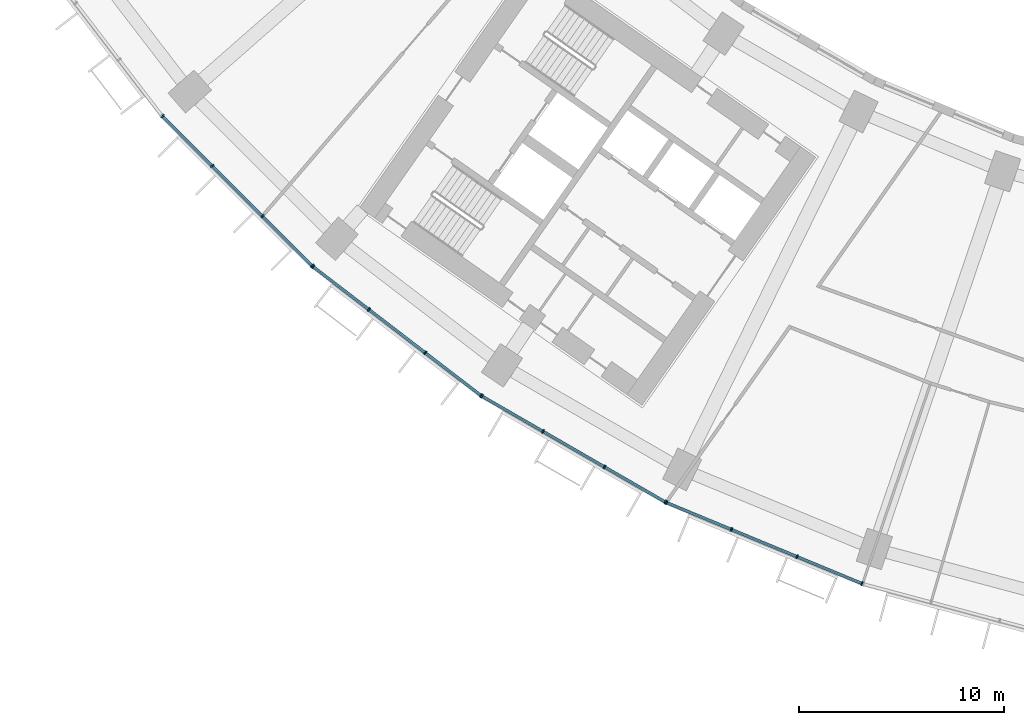
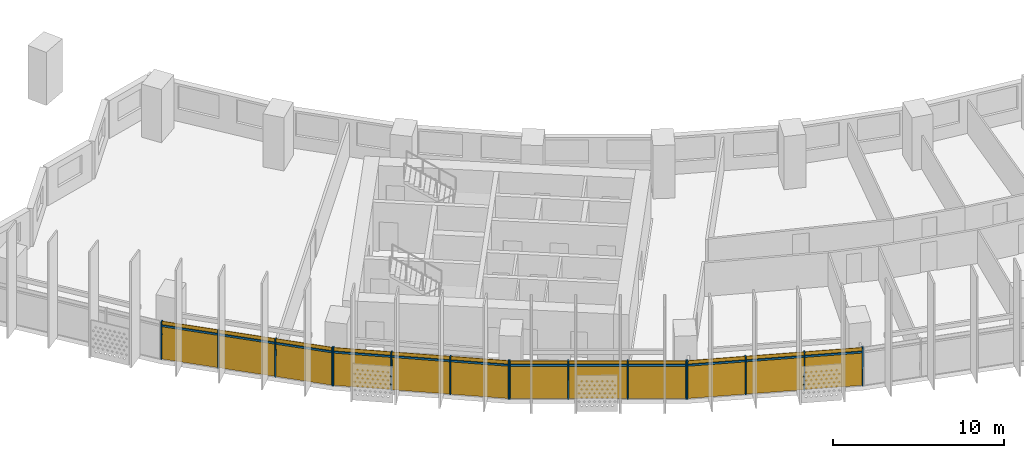
# One storey, part 18 of 31: 28 members, 4 curtain walls.
"""IFC4 building model written with IfcOpenShell, lengths in metres."""

from ifc_helpers import new_model, si_unit, direction, frame, origin, origin_2d, place, context, subcontext, project, spatial, rectangle, extrude, material, material_profile, profile_set, type_object, element, aggregate, save


model = new_model("IFC4")

# Units and contexts
model_context = context("Model", 3, precision=1e-05, world=origin(), true_north=direction((0.0, 1.0)))
body_context = subcontext(model_context, "Body", "Model", "MODEL_VIEW")
ifc_project = project(units=[si_unit("LENGTHUNIT", "METRE"), si_unit("AREAUNIT", "SQUARE_METRE"), si_unit("VOLUMEUNIT", "CUBIC_METRE"), si_unit("PLANEANGLEUNIT", "RADIAN"), si_unit("MASSUNIT", "GRAM", prefix="KILO")], contexts=[model_context])

# Member
ifc_material = material(Name="Aluminium 6063-T6 anodised", Category="aluminium")
ifc_material_profile_1 = material_profile(ifc_material, rectangle(XDim=0.199951171875, YDim=0.070068359375, at=origin_2d()))
ifc_profile_set_1 = profile_set([ifc_material_profile_1], Name="Aluminium 6063-T6 anodised")
member_type_1 = type_object("IfcMemberType", Name="Mullion 70 x 200 aluminium", PredefinedType="MULLION", material=ifc_profile_set_1)
site_placement = place(None, origin())
building_placement = place(site_placement, origin())
storey_placement = place(building_placement, frame((0.0, 0.0, 48.10009765625)))
member_1_placement = place(storey_placement, frame((-59.78857421875, -52.470947265625, 0.0), z_axis=(0.0, 0.0, 1.0), x_axis=(0.707106781187, 0.707106781187, 0.0)))
member_1 = element("IfcMember", 1, at=member_1_placement, type_object=member_type_1, Name="e-cw1-L08-out02/M00", PredefinedType="MULLION", context=body_context, shape_type="SweptSolid", body=[
    extrude(rectangle(XDim=0.199951171875, YDim=0.070068359375, at=origin_2d()), origin(), (0.0, 0.0, 1.0), 2.699951171875),
])

member_2_placement = place(storey_placement, frame((-57.357666015625, -54.90185546875, 0.0), z_axis=(0.0, 0.0, 1.0), x_axis=(0.707106781187, 0.707106781187, 0.0)))
member_2 = element("IfcMember", 2, at=member_2_placement, type_object=member_type_1, Name="e-cw1-L08-out02/M01", PredefinedType="MULLION", context=body_context, shape_type="SweptSolid", body=[
    extrude(rectangle(XDim=0.199951171875, YDim=0.070068359375, at=origin_2d()), origin(), (0.0, 0.0, 1.0), 2.699951171875),
])

member_3_placement = place(storey_placement, frame((-54.90185546875, -57.357666015625, 0.0), z_axis=(0.0, 0.0, 1.0), x_axis=(0.707106781187, 0.707106781187, 0.0)))
member_3 = element("IfcMember", 3, at=member_3_placement, type_object=member_type_1, Name="e-cw1-L08-out02/M02", PredefinedType="MULLION", context=body_context, shape_type="SweptSolid", body=[
    extrude(rectangle(XDim=0.199951171875, YDim=0.070068359375, at=origin_2d()), origin(), (0.0, 0.0, 1.0), 2.699951171875),
])

member_4_placement = place(storey_placement, frame((-52.470947265625, -59.78857421875, 0.0), z_axis=(0.0, 0.0, 1.0), x_axis=(0.707106781187, 0.707106781187, 0.0)))
member_4 = element("IfcMember", 4, at=member_4_placement, type_object=member_type_1, Name="e-cw1-L08-out02/M03", PredefinedType="MULLION", context=body_context, shape_type="SweptSolid", body=[
    extrude(rectangle(XDim=0.199951171875, YDim=0.070068359375, at=origin_2d()), origin(), (0.0, 0.0, 1.0), 2.699951171875),
])

member_5_placement = place(storey_placement, frame((-52.42822265625, -59.825927734375, 0.0), z_axis=(0.0, 0.0, 1.0), x_axis=(0.608761429009, 0.793353340291, 0.0)))
member_5 = element("IfcMember", 5, at=member_5_placement, type_object=member_type_1, Name="e-cw1-L08-out03/M00", PredefinedType="MULLION", context=body_context, shape_type="SweptSolid", body=[
    extrude(rectangle(XDim=0.199951171875, YDim=0.070068359375, at=origin_2d()), origin(), (0.0, 0.0, 1.0), 2.699951171875),
])

member_6_placement = place(storey_placement, frame((-49.70068359375, -61.9189453125, 0.0), z_axis=(0.0, 0.0, 1.0), x_axis=(0.608761429009, 0.793353340291, 0.0)))
member_6 = element("IfcMember", 6, at=member_6_placement, type_object=member_type_1, Name="e-cw1-L08-out03/M01", PredefinedType="MULLION", context=body_context, shape_type="SweptSolid", body=[
    extrude(rectangle(XDim=0.199951171875, YDim=0.070068359375, at=origin_2d()), origin(), (0.0, 0.0, 1.0), 2.699951171875),
])

member_7_placement = place(storey_placement, frame((-46.945556640625, -64.032958984375, 0.0), z_axis=(0.0, 0.0, 1.0), x_axis=(0.608761429009, 0.793353340291, 0.0)))
member_7 = element("IfcMember", 7, at=member_7_placement, type_object=member_type_1, Name="e-cw1-L08-out03/M02", PredefinedType="MULLION", context=body_context, shape_type="SweptSolid", body=[
    extrude(rectangle(XDim=0.199951171875, YDim=0.070068359375, at=origin_2d()), origin(), (0.0, 0.0, 1.0), 2.699951171875),
])

member_8_placement = place(storey_placement, frame((-44.218017578125, -66.1259765625, 0.0), z_axis=(0.0, 0.0, 1.0), x_axis=(0.608761429009, 0.793353340291, 0.0)))
member_8 = element("IfcMember", 8, at=member_8_placement, type_object=member_type_1, Name="e-cw1-L08-out03/M03", PredefinedType="MULLION", context=body_context, shape_type="SweptSolid", body=[
    extrude(rectangle(XDim=0.199951171875, YDim=0.070068359375, at=origin_2d()), origin(), (0.0, 0.0, 1.0), 2.699951171875),
])

member_9_placement = place(storey_placement, frame((-44.1708984375, -66.157470703125, 0.0), z_axis=(0.0, 0.0, 1.0), x_axis=(0.5, 0.866025403784, 0.0)))
member_9 = element("IfcMember", 9, at=member_9_placement, type_object=member_type_1, Name="e-cw1-L08-out04/M00", PredefinedType="MULLION", context=body_context, shape_type="SweptSolid", body=[
    extrude(rectangle(XDim=0.199951171875, YDim=0.070068359375, at=origin_2d()), origin(), (0.0, 0.0, 1.0), 2.699951171875),
])

member_10_placement = place(storey_placement, frame((-41.193603515625, -67.87646484375, 0.0), z_axis=(0.0, 0.0, 1.0), x_axis=(0.5, 0.866025403784, 0.0)))
member_10 = element("IfcMember", 10, at=member_10_placement, type_object=member_type_1, Name="e-cw1-L08-out04/M01", PredefinedType="MULLION", context=body_context, shape_type="SweptSolid", body=[
    extrude(rectangle(XDim=0.199951171875, YDim=0.070068359375, at=origin_2d()), origin(), (0.0, 0.0, 1.0), 2.699951171875),
])

member_11_placement = place(storey_placement, frame((-38.18603515625, -69.61279296875, 0.0), z_axis=(0.0, 0.0, 1.0), x_axis=(0.5, 0.866025403784, 0.0)))
member_11 = element("IfcMember", 11, at=member_11_placement, type_object=member_type_1, Name="e-cw1-L08-out04/M02", PredefinedType="MULLION", context=body_context, shape_type="SweptSolid", body=[
    extrude(rectangle(XDim=0.199951171875, YDim=0.070068359375, at=origin_2d()), origin(), (0.0, 0.0, 1.0), 2.699951171875),
])

member_12_placement = place(storey_placement, frame((-35.20849609375, -71.331787109375, 0.0), z_axis=(0.0, 0.0, 1.0), x_axis=(0.5, 0.866025403784, 0.0)))
member_12 = element("IfcMember", 12, at=member_12_placement, type_object=member_type_1, Name="e-cw1-L08-out04/M03", PredefinedType="MULLION", context=body_context, shape_type="SweptSolid", body=[
    extrude(rectangle(XDim=0.199951171875, YDim=0.070068359375, at=origin_2d()), origin(), (0.0, 0.0, 1.0), 2.699951171875),
])

member_13_placement = place(storey_placement, frame((-35.15771484375, -71.35693359375, 0.0), z_axis=(0.0, 0.0, 1.0), x_axis=(0.382683432365, 0.923879532511, 0.0)))
member_13 = element("IfcMember", 13, at=member_13_placement, type_object=member_type_1, Name="e-cw1-L08-out05/M00", PredefinedType="MULLION", context=body_context, shape_type="SweptSolid", body=[
    extrude(rectangle(XDim=0.199951171875, YDim=0.070068359375, at=origin_2d()), origin(), (0.0, 0.0, 1.0), 2.699951171875),
])

member_14_placement = place(storey_placement, frame((-31.9814453125, -72.672607421875, 0.0), z_axis=(0.0, 0.0, 1.0), x_axis=(0.382683432365, 0.923879532511, 0.0)))
member_14 = element("IfcMember", 14, at=member_14_placement, type_object=member_type_1, Name="e-cw1-L08-out05/M01", PredefinedType="MULLION", context=body_context, shape_type="SweptSolid", body=[
    extrude(rectangle(XDim=0.199951171875, YDim=0.070068359375, at=origin_2d()), origin(), (0.0, 0.0, 1.0), 2.699951171875),
])

member_15_placement = place(storey_placement, frame((-28.77294921875, -74.00146484375, 0.0), z_axis=(0.0, 0.0, 1.0), x_axis=(0.382683432365, 0.923879532511, 0.0)))
member_15 = element("IfcMember", 15, at=member_15_placement, type_object=member_type_1, Name="e-cw1-L08-out05/M02", PredefinedType="MULLION", context=body_context, shape_type="SweptSolid", body=[
    extrude(rectangle(XDim=0.199951171875, YDim=0.070068359375, at=origin_2d()), origin(), (0.0, 0.0, 1.0), 2.699951171875),
])

member_16_placement = place(storey_placement, frame((-25.5966796875, -75.317138671875, 0.0), z_axis=(0.0, 0.0, 1.0), x_axis=(0.382683432365, 0.923879532511, 0.0)))
member_16 = element("IfcMember", 16, at=member_16_placement, type_object=member_type_1, Name="e-cw1-L08-out05/M03", PredefinedType="MULLION", context=body_context, shape_type="SweptSolid", body=[
    extrude(rectangle(XDim=0.199951171875, YDim=0.070068359375, at=origin_2d()), origin(), (0.0, 0.0, 1.0), 2.699951171875),
])

ifc_material_profile_2 = material_profile(ifc_material, rectangle(XDim=0.139892578125, YDim=0.1201171875, at=origin_2d()))
ifc_profile_set_2 = profile_set([ifc_material_profile_2], Name="Aluminium 6063-T6 anodised")
member_type_2 = type_object("IfcMemberType", Name="Transom 120 x 140 aluminium", PredefinedType="USERDEFINED", material=ifc_profile_set_2)
member_17_placement = place(storey_placement, frame((-59.763916015625, -52.49560546875, 2.39990234375), z_axis=(0.707106781187, -0.707106781187, 0.0), x_axis=(0.707106781187, 0.707106781187, 0.0)))
member_17 = element("IfcMember", 17, at=member_17_placement, type_object=member_type_2, Name="e-cw1-L08-out02/T00", ObjectType="TRANSOM", PredefinedType="USERDEFINED", context=body_context, shape_type="SweptSolid", body=[
    extrude(rectangle(XDim=0.139892578125, YDim=0.1201171875, at=origin_2d()), origin(), (0.0, 0.0, 1.0), 3.3681640625),
])

member_18_placement = place(storey_placement, frame((-57.332763671875, -54.9267578125, 2.39990234375), z_axis=(0.707106781187, -0.707106781187, 0.0), x_axis=(0.707106781187, 0.707106781187, 0.0)))
member_18 = element("IfcMember", 18, at=member_18_placement, type_object=member_type_2, Name="e-cw1-L08-out02/T01", ObjectType="TRANSOM", PredefinedType="USERDEFINED", context=body_context, shape_type="SweptSolid", body=[
    extrude(rectangle(XDim=0.139892578125, YDim=0.1201171875, at=origin_2d()), origin(), (0.0, 0.0, 1.0), 3.402587890625),
])

member_19_placement = place(storey_placement, frame((-54.877197265625, -57.38232421875, 2.39990234375), z_axis=(0.707106781187, -0.707106781187, 0.0), x_axis=(0.707106781187, 0.707106781187, 0.0)))
member_19 = element("IfcMember", 19, at=member_19_placement, type_object=member_type_2, Name="e-cw1-L08-out02/T02", ObjectType="TRANSOM", PredefinedType="USERDEFINED", context=body_context, shape_type="SweptSolid", body=[
    extrude(rectangle(XDim=0.139892578125, YDim=0.1201171875, at=origin_2d()), origin(), (0.0, 0.0, 1.0), 3.3681640625),
])

member_20_placement = place(storey_placement, frame((-52.400390625, -59.847412109375, 2.39990234375), z_axis=(0.793375276742, -0.608732839803, 0.0), x_axis=(0.608732839803, 0.793375276742, 0.0)))
member_20 = element("IfcMember", 20, at=member_20_placement, type_object=member_type_2, Name="e-cw1-L08-out03/T00", ObjectType="TRANSOM", PredefinedType="USERDEFINED", context=body_context, shape_type="SweptSolid", body=[
    extrude(rectangle(XDim=0.139892578125, YDim=0.1201171875, at=origin_2d()), origin(), (0.0, 0.0, 1.0), 3.36767578125),
])

member_21_placement = place(storey_placement, frame((-49.673095703125, -61.940185546875, 2.39990234375), z_axis=(0.793356868815, -0.60875683052, 0.0), x_axis=(0.60875683052, 0.793356868815, 0.0)))
member_21 = element("IfcMember", 21, at=member_21_placement, type_object=member_type_2, Name="e-cw1-L08-out03/T01", ObjectType="TRANSOM", PredefinedType="USERDEFINED", context=body_context, shape_type="SweptSolid", body=[
    extrude(rectangle(XDim=0.139892578125, YDim=0.1201171875, at=origin_2d()), origin(), (0.0, 0.0, 1.0), 3.40283203125),
])

member_22_placement = place(storey_placement, frame((-46.917724609375, -64.054443359375, 2.39990234375), z_axis=(0.793375276742, -0.608732839803, 0.0), x_axis=(0.608732839803, 0.793375276742, 0.0)))
member_22 = element("IfcMember", 22, at=member_22_placement, type_object=member_type_2, Name="e-cw1-L08-out03/T02", ObjectType="TRANSOM", PredefinedType="USERDEFINED", context=body_context, shape_type="SweptSolid", body=[
    extrude(rectangle(XDim=0.139892578125, YDim=0.1201171875, at=origin_2d()), origin(), (0.0, 0.0, 1.0), 3.36767578125),
])

member_23_placement = place(storey_placement, frame((-44.140625, -66.175048828125, 2.39990234375), z_axis=(0.866044351828, -0.49996717959, 0.0), x_axis=(0.49996717959, 0.866044351828, 0.0)))
member_23 = element("IfcMember", 23, at=member_23_placement, type_object=member_type_2, Name="e-cw1-L08-out04/T00", ObjectType="TRANSOM", PredefinedType="USERDEFINED", context=body_context, shape_type="SweptSolid", body=[
    extrude(rectangle(XDim=0.139892578125, YDim=0.1201171875, at=origin_2d()), origin(), (0.0, 0.0, 1.0), 3.367919921875),
])

member_24_placement = place(storey_placement, frame((-41.163330078125, -67.893798828125, 2.39990234375), z_axis=(0.866000398227, -0.500043308395, 0.0), x_axis=(0.500043308395, 0.866000398227, 0.0)))
member_24 = element("IfcMember", 24, at=member_24_placement, type_object=member_type_2, Name="e-cw1-L08-out04/T01", ObjectType="TRANSOM", PredefinedType="USERDEFINED", context=body_context, shape_type="SweptSolid", body=[
    extrude(rectangle(XDim=0.139892578125, YDim=0.1201171875, at=origin_2d()), origin(), (0.0, 0.0, 1.0), 3.403076171875),
])

member_25_placement = place(storey_placement, frame((-38.155517578125, -69.63037109375, 2.39990234375), z_axis=(0.866026229868, -0.499998569178, 0.0), x_axis=(0.499998569178, 0.866026229868, 0.0)))
member_25 = element("IfcMember", 25, at=member_25_placement, type_object=member_type_2, Name="e-cw1-L08-out04/T02", ObjectType="TRANSOM", PredefinedType="USERDEFINED", context=body_context, shape_type="SweptSolid", body=[
    extrude(rectangle(XDim=0.139892578125, YDim=0.1201171875, at=origin_2d()), origin(), (0.0, 0.0, 1.0), 3.36767578125),
])

member_26_placement = place(storey_placement, frame((-35.125244140625, -71.370361328125, 2.39990234375), z_axis=(0.923872807855, -0.382699666719, 0.0), x_axis=(0.382699666719, 0.923872807855, 0.0)))
member_26 = element("IfcMember", 26, at=member_26_placement, type_object=member_type_2, Name="e-cw1-L08-out05/T00", ObjectType="TRANSOM", PredefinedType="USERDEFINED", context=body_context, shape_type="SweptSolid", body=[
    extrude(rectangle(XDim=0.139892578125, YDim=0.1201171875, at=origin_2d()), origin(), (0.0, 0.0, 1.0), 3.36767578125),
])

member_27_placement = place(storey_placement, frame((-31.94921875, -72.68603515625, 2.39990234375), z_axis=(0.92388567708, -0.382668597728, 0.0), x_axis=(0.382668597728, 0.92388567708, 0.0)))
member_27 = element("IfcMember", 27, at=member_27_placement, type_object=member_type_2, Name="e-cw1-L08-out05/T01", ObjectType="TRANSOM", PredefinedType="USERDEFINED", context=body_context, shape_type="SweptSolid", body=[
    extrude(rectangle(XDim=0.139892578125, YDim=0.1201171875, at=origin_2d()), origin(), (0.0, 0.0, 1.0), 3.403076171875),
])

member_28_placement = place(storey_placement, frame((-28.740478515625, -74.014892578125, 2.39990234375), z_axis=(0.923872807855, -0.382699666719, 0.0), x_axis=(0.382699666719, 0.923872807855, 0.0)))
member_28 = element("IfcMember", 28, at=member_28_placement, type_object=member_type_2, Name="e-cw1-L08-out05/T02", ObjectType="TRANSOM", PredefinedType="USERDEFINED", context=body_context, shape_type="SweptSolid", body=[
    extrude(rectangle(XDim=0.139892578125, YDim=0.1201171875, at=origin_2d()), origin(), (0.0, 0.0, 1.0), 3.36767578125),
])

# Site, building, storey
site = spatial("IfcSite", under=ifc_project, at=site_placement, CompositionType="ELEMENT")
building = spatial("IfcBuilding", under=site, at=building_placement, Name="Qamariyya Broadcast Tower", CompositionType="ELEMENT")
storey = spatial("IfcBuildingStorey", under=building, at=storey_placement, Name="L08", CompositionType="ELEMENT", Elevation=48.10009765625)

# Curtain wall
curtain_wall_type = type_object("IfcCurtainWallType", Name="Unitised curtain wall, anodised aluminium", PredefinedType="NOTDEFINED", material=ifc_material)
curtain_wall_1_placement = place(storey_placement, origin())
curtain_wall_1 = element("IfcCurtainWall", 29, at=curtain_wall_1_placement, inside=storey, type_object=curtain_wall_type, Name="e-cw1-L08-out02", PredefinedType="NOTDEFINED", context=body_context, shape_type="SweptSolid", body=[
    extrude(rectangle(XDim=3.367919921875, YDim=0.031982421875, at=origin_2d()), frame((-58.572998046875, -53.6865234375, 0.0), x_axis=(0.707106781187, -0.707106781187, 0.0)), (0.0, 0.0, 1.0), 2.340087890625),
    extrude(rectangle(XDim=3.367919921875, YDim=0.031982421875, at=origin_2d()), frame((-58.572998046875, -53.6865234375, 2.4599609375), x_axis=(0.707106781187, -0.707106781187, 0.0)), (0.0, 0.0, 1.0), 0.239990234375),
    extrude(rectangle(XDim=3.40283203125, YDim=0.031982421875, at=origin_2d()), frame((-56.1298828125, -56.1298828125, 0.0), x_axis=(0.707106781187, -0.707106781187, 0.0)), (0.0, 0.0, 1.0), 2.340087890625),
    extrude(rectangle(XDim=3.40283203125, YDim=0.031982421875, at=origin_2d()), frame((-56.1298828125, -56.1298828125, 2.4599609375), x_axis=(0.707106781187, -0.707106781187, 0.0)), (0.0, 0.0, 1.0), 0.239990234375),
    extrude(rectangle(XDim=3.367919921875, YDim=0.031982421875, at=origin_2d()), frame((-53.6865234375, -58.572998046875, 0.0), x_axis=(0.707106781187, -0.707106781187, 0.0)), (0.0, 0.0, 1.0), 2.340087890625),
    extrude(rectangle(XDim=3.367919921875, YDim=0.031982421875, at=origin_2d()), frame((-53.6865234375, -58.572998046875, 2.4599609375), x_axis=(0.707106781187, -0.707106781187, 0.0)), (0.0, 0.0, 1.0), 0.239990234375),
])

aggregate(curtain_wall_1, [member_1, member_2, member_3, member_4, member_17, member_18, member_19])

curtain_wall_2_placement = place(storey_placement, origin())
curtain_wall_2 = element("IfcCurtainWall", 30, at=curtain_wall_2_placement, inside=storey, type_object=curtain_wall_type, Name="e-cw1-L08-out03", PredefinedType="NOTDEFINED", context=body_context, shape_type="SweptSolid", body=[
    extrude(rectangle(XDim=3.367919921875, YDim=0.031982421875, at=origin_2d()), frame((-51.064453125, -60.872314453125, 0.0), x_axis=(0.79335775203, -0.608755679475, 0.0)), (0.0, 0.0, 1.0), 2.340087890625),
    extrude(rectangle(XDim=3.367919921875, YDim=0.031982421875, at=origin_2d()), frame((-51.064453125, -60.872314453125, 2.4599609375), x_axis=(0.79335775203, -0.608755679475, 0.0)), (0.0, 0.0, 1.0), 0.239990234375),
    extrude(rectangle(XDim=3.40283203125, YDim=0.031982421875, at=origin_2d()), frame((-48.3232421875, -62.97607421875, 0.0), x_axis=(0.79335775203, -0.608755679475, 0.0)), (0.0, 0.0, 1.0), 2.340087890625),
    extrude(rectangle(XDim=3.40283203125, YDim=0.031982421875, at=origin_2d()), frame((-48.3232421875, -62.97607421875, 2.4599609375), x_axis=(0.79335775203, -0.608755679475, 0.0)), (0.0, 0.0, 1.0), 0.239990234375),
    extrude(rectangle(XDim=3.367919921875, YDim=0.031982421875, at=origin_2d()), frame((-45.581787109375, -65.07958984375, 0.0), x_axis=(0.79335775203, -0.608755679475, 0.0)), (0.0, 0.0, 1.0), 2.340087890625),
    extrude(rectangle(XDim=3.367919921875, YDim=0.031982421875, at=origin_2d()), frame((-45.581787109375, -65.07958984375, 2.4599609375), x_axis=(0.79335775203, -0.608755679475, 0.0)), (0.0, 0.0, 1.0), 0.239990234375),
])

aggregate(curtain_wall_2, [member_5, member_6, member_7, member_8, member_20, member_21, member_22])

curtain_wall_3_placement = place(storey_placement, origin())
curtain_wall_3 = element("IfcCurtainWall", 31, at=curtain_wall_3_placement, inside=storey, type_object=curtain_wall_type, Name="e-cw1-L08-out04", PredefinedType="NOTDEFINED", context=body_context, shape_type="SweptSolid", body=[
    extrude(rectangle(XDim=3.367919921875, YDim=0.031982421875, at=origin_2d()), frame((-42.68212890625, -67.016845703125, 0.0), x_axis=(0.86602247392, -0.500005074639, 0.0)), (0.0, 0.0, 1.0), 2.340087890625),
    extrude(rectangle(XDim=3.367919921875, YDim=0.031982421875, at=origin_2d()), frame((-42.68212890625, -67.016845703125, 2.4599609375), x_axis=(0.86602247392, -0.500005074639, 0.0)), (0.0, 0.0, 1.0), 0.239990234375),
    extrude(rectangle(XDim=3.40283203125, YDim=0.031982421875, at=origin_2d()), frame((-39.689697265625, -68.74462890625, 0.0), x_axis=(0.86602247392, -0.500005074639, 0.0)), (0.0, 0.0, 1.0), 2.340087890625),
    extrude(rectangle(XDim=3.40283203125, YDim=0.031982421875, at=origin_2d()), frame((-39.689697265625, -68.74462890625, 2.4599609375), x_axis=(0.86602247392, -0.500005074639, 0.0)), (0.0, 0.0, 1.0), 0.239990234375),
    extrude(rectangle(XDim=3.367919921875, YDim=0.031982421875, at=origin_2d()), frame((-36.697265625, -70.472412109375, 0.0), x_axis=(0.86602247392, -0.500005074639, 0.0)), (0.0, 0.0, 1.0), 2.340087890625),
    extrude(rectangle(XDim=3.367919921875, YDim=0.031982421875, at=origin_2d()), frame((-36.697265625, -70.472412109375, 2.4599609375), x_axis=(0.86602247392, -0.500005074639, 0.0)), (0.0, 0.0, 1.0), 0.239990234375),
])

aggregate(curtain_wall_3, [member_9, member_10, member_11, member_12, member_23, member_24, member_25])

curtain_wall_4_placement = place(storey_placement, origin())
curtain_wall_4 = element("IfcCurtainWall", 32, at=curtain_wall_4_placement, inside=storey, type_object=curtain_wall_type, Name="e-cw1-L08-out05", PredefinedType="NOTDEFINED", context=body_context, shape_type="SweptSolid", body=[
    extrude(rectangle(XDim=3.367919921875, YDim=0.031982421875, at=origin_2d()), frame((-33.569580078125, -72.0146484375, 0.0), x_axis=(0.92387774222, -0.382687754482, 0.0)), (0.0, 0.0, 1.0), 2.340087890625),
    extrude(rectangle(XDim=3.367919921875, YDim=0.031982421875, at=origin_2d()), frame((-33.569580078125, -72.0146484375, 2.4599609375), x_axis=(0.92387774222, -0.382687754482, 0.0)), (0.0, 0.0, 1.0), 0.239990234375),
    extrude(rectangle(XDim=3.40283203125, YDim=0.031982421875, at=origin_2d()), frame((-30.377197265625, -73.3369140625, 0.0), x_axis=(0.92387774222, -0.382687754482, 0.0)), (0.0, 0.0, 1.0), 2.340087890625),
    extrude(rectangle(XDim=3.40283203125, YDim=0.031982421875, at=origin_2d()), frame((-30.377197265625, -73.3369140625, 2.4599609375), x_axis=(0.92387774222, -0.382687754482, 0.0)), (0.0, 0.0, 1.0), 0.239990234375),
    extrude(rectangle(XDim=3.367919921875, YDim=0.031982421875, at=origin_2d()), frame((-27.184814453125, -74.659423828125, 0.0), x_axis=(0.92387774222, -0.382687754482, 0.0)), (0.0, 0.0, 1.0), 2.340087890625),
    extrude(rectangle(XDim=3.367919921875, YDim=0.031982421875, at=origin_2d()), frame((-27.184814453125, -74.659423828125, 2.4599609375), x_axis=(0.92387774222, -0.382687754482, 0.0)), (0.0, 0.0, 1.0), 0.239990234375),
])

aggregate(curtain_wall_4, [member_13, member_14, member_15, member_16, member_26, member_27, member_28])

save(model, "model.ifc")
